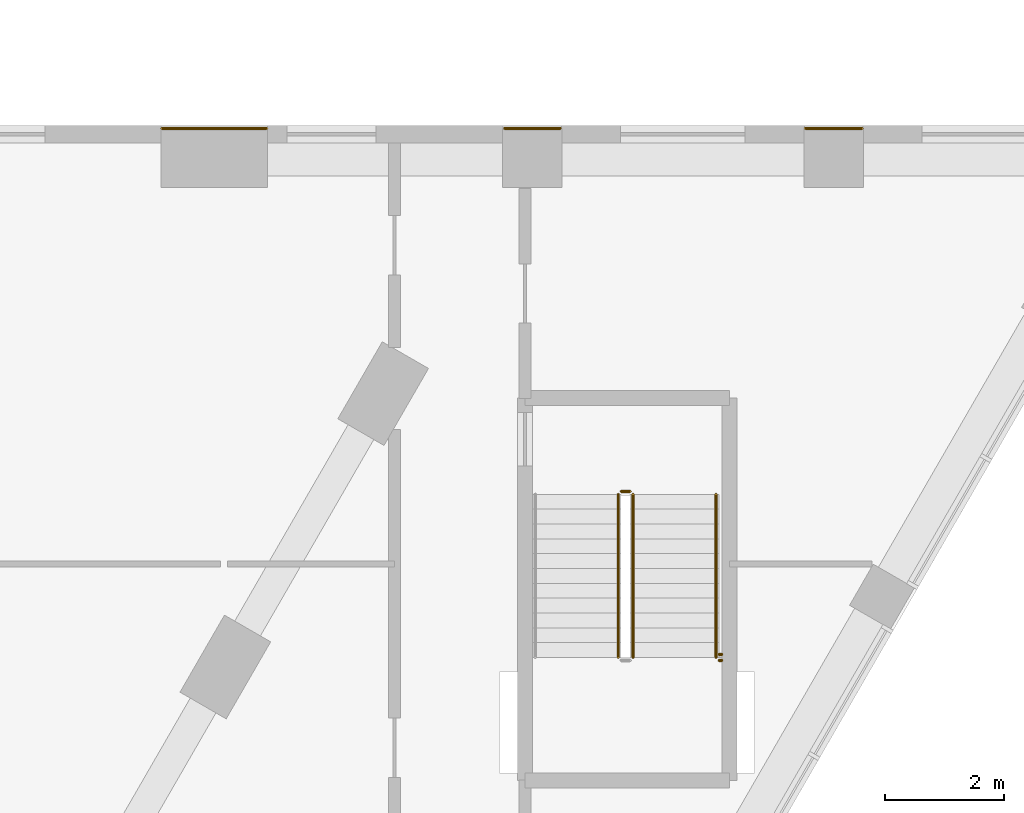
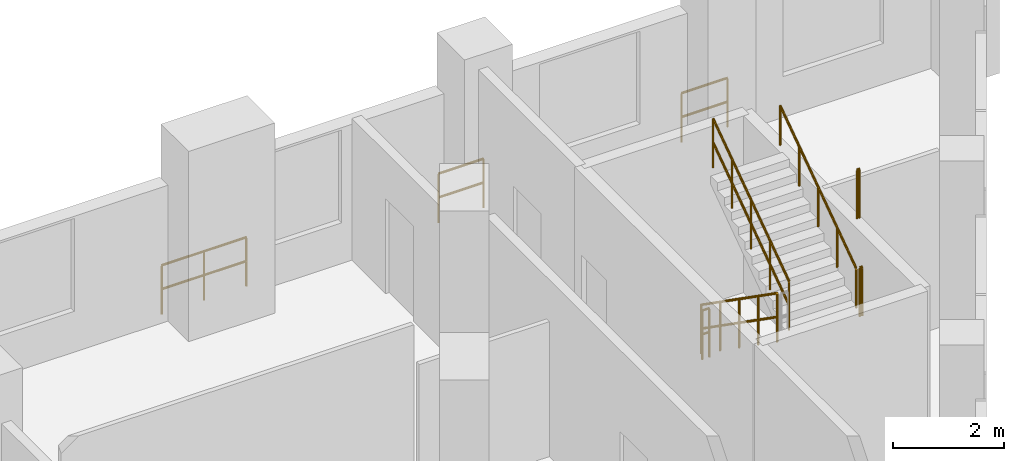
# One storey, part 37 of 45: 9 railings.
"""IFC4 building model written with IfcOpenShell, lengths in metres."""

from ifc_helpers import new_model, si_unit, direction, frame, origin, origin_2d, place, context, subcontext, project, spatial, circle, extrude, material, type_object, element, save


model = new_model("IFC4")

# Units and contexts
model_context = context("Model", 3, precision=1e-05, world=origin(), true_north=direction((0.0, 1.0)))
body_context = subcontext(model_context, "Body", "Model", "MODEL_VIEW")
ifc_project = project(units=[si_unit("LENGTHUNIT", "METRE"), si_unit("AREAUNIT", "SQUARE_METRE"), si_unit("VOLUMEUNIT", "CUBIC_METRE"), si_unit("PLANEANGLEUNIT", "RADIAN"), si_unit("MASSUNIT", "GRAM", prefix="KILO")], contexts=[model_context])

# Site, building, storey
site_placement = place(None, origin())
site = spatial("IfcSite", under=ifc_project, at=site_placement, CompositionType="ELEMENT")
building_placement = place(site_placement, origin())
building = spatial("IfcBuilding", under=site, at=building_placement, Name="Nakaniwa Court", CompositionType="ELEMENT")
storey_placement = place(building_placement, frame((0.0, 0.0, 11.39990234375)))
storey = spatial("IfcBuildingStorey", under=building, at=storey_placement, Name="L02", CompositionType="ELEMENT", Elevation=11.39990234375)

# Railings
ifc_material_1 = material(Name="Black powder coated steel guard", Category="steel")
railing_type_1 = type_object("IfcRailingType", Name="Stair guard 1100", PredefinedType="GUARDRAIL", material=ifc_material_1)
railing_1_placement = place(storey_placement, frame((104.27490234375, 66.375, 0.175048828125)))
element("IfcRailing", 1, at=railing_1_placement, inside=storey, type_object=railing_type_1, Name="L02 SS3 stair guard 1", PredefinedType="GUARDRAIL", context=body_context, shape_type="SweptSolid", body=[
    extrude(circle(Radius=0.02392578125, at=origin_2d()), frame((0.0, 0.0, 1.076171875), z_axis=(0.0, -0.819225086817, 0.573472106672), x_axis=(1.0, 0.0, 0.0)), (0.0, 0.0, 1.0), 3.35693359375),
    extrude(circle(Radius=0.02392578125, at=origin_2d()), frame((0.0, 0.0, 0.550048828125), z_axis=(0.0, -0.819225086817, 0.573472106672), x_axis=(1.0, 0.0, 0.0)), (0.0, 0.0, 1.0), 3.35693359375),
    extrude(circle(Radius=0.02099609375, at=origin_2d()), origin(), (0.0, 0.0, 1.0), 1.052001953125),
    extrude(circle(Radius=0.02099609375, at=origin_2d()), frame((0.0, -0.6875, 0.481201171875)), (0.0, 0.0, 1.0), 1.052001953125),
    extrude(circle(Radius=0.02099609375, at=origin_2d()), frame((0.0, -1.375, 0.96240234375)), (0.0, 0.0, 1.0), 1.052001953125),
    extrude(circle(Radius=0.02099609375, at=origin_2d()), frame((0.0, -2.0625, 1.44384765625)), (0.0, 0.0, 1.0), 1.052001953125),
    extrude(circle(Radius=0.02099609375, at=origin_2d()), frame((0.0, -2.75, 1.925048828125)), (0.0, 0.0, 1.0), 1.052001953125),
])
railing_2_placement = place(storey_placement, frame((104.52490234375, 63.625, 2.275146484375)))
element("IfcRailing", 2, at=railing_2_placement, inside=storey, type_object=railing_type_1, Name="L02 SS3 stair guard 3", PredefinedType="GUARDRAIL", context=body_context, shape_type="SweptSolid", body=[
    extrude(circle(Radius=0.02392578125, at=origin_2d()), frame((0.0, 0.0, 1.076171875), z_axis=(0.0, 0.819225086817, 0.573472106672), x_axis=(-1.0, 0.0, 0.0)), (0.0, 0.0, 1.0), 3.35693359375),
    extrude(circle(Radius=0.02392578125, at=origin_2d()), frame((0.0, 0.0, 0.550048828125), z_axis=(0.0, 0.819225086817, 0.573472106672), x_axis=(-1.0, 0.0, 0.0)), (0.0, 0.0, 1.0), 3.35693359375),
    extrude(circle(Radius=0.02099609375, at=origin_2d()), origin(), (0.0, 0.0, 1.0), 1.052001953125),
    extrude(circle(Radius=0.02099609375, at=origin_2d()), frame((0.0, 0.6875, 0.481201171875)), (0.0, 0.0, 1.0), 1.052001953125),
    extrude(circle(Radius=0.02099609375, at=origin_2d()), frame((0.0, 1.375, 0.96240234375)), (0.0, 0.0, 1.0), 1.052001953125),
    extrude(circle(Radius=0.02099609375, at=origin_2d()), frame((0.0, 2.0625, 1.44384765625)), (0.0, 0.0, 1.0), 1.052001953125),
    extrude(circle(Radius=0.02099609375, at=origin_2d()), frame((0.0, 2.75, 1.925048828125)), (0.0, 0.0, 1.0), 1.052001953125),
])
railing_3_placement = place(storey_placement, frame((104.324951171875, 66.425048828125, 0.0)))
element("IfcRailing", 3, at=railing_3_placement, inside=storey, type_object=railing_type_1, Name="L02 SS3 stair guard 4", PredefinedType="GUARDRAIL", context=body_context, shape_type="SweptSolid", body=[
    extrude(circle(Radius=0.02392578125, at=origin_2d()), frame((0.0, 0.0, 1.076171875), z_axis=(1.0, 0.0, 0.0), x_axis=(0.0, 1.0, 0.0)), (0.0, 0.0, 1.0), 0.150146484375),
    extrude(circle(Radius=0.02392578125, at=origin_2d()), frame((0.0, 0.0, 0.550048828125), z_axis=(1.0, 0.0, 0.0), x_axis=(0.0, 1.0, 0.0)), (0.0, 0.0, 1.0), 0.150146484375),
    extrude(circle(Radius=0.02099609375, at=origin_2d()), origin(), (0.0, 0.0, 1.0), 1.052001953125),
    extrude(circle(Radius=0.02099609375, at=origin_2d()), frame((0.150146484375, 0.0, 0.0)), (0.0, 0.0, 1.0), 1.052001953125),
])
for number, where, name in (
    (4, (105.97509765625, 63.574951171875, 2.10009765625), "L02 SS3 landing side guard 1E"),
    (5, (105.97509765625, 63.675048828125, 4.2001953125), "L02 SS3 floor edge guard 1E"),
):
    element("IfcRailing", number, at=place(storey_placement, frame(where)), inside=storey, type_object=railing_type_1, Name=name, PredefinedType="GUARDRAIL", context=body_context, shape_type="SweptSolid", body=[
        extrude(circle(Radius=0.02392578125, at=origin_2d()), frame((0.0, 0.0, 1.076171875), z_axis=(1.0, 0.0, 0.0), x_axis=(0.0, 1.0, 0.0)), (0.0, 0.0, 1.0), 0.0498046875),
        extrude(circle(Radius=0.02392578125, at=origin_2d()), frame((0.0, 0.0, 0.550048828125), z_axis=(1.0, 0.0, 0.0), x_axis=(0.0, 1.0, 0.0)), (0.0, 0.0, 1.0), 0.0498046875),
        extrude(circle(Radius=0.02099609375, at=origin_2d()), origin(), (0.0, 0.0, 1.0), 1.052001953125),
        extrude(circle(Radius=0.02099609375, at=origin_2d()), frame((0.0498046875, 0.0, 0.0)), (0.0, 0.0, 1.0), 1.052001953125),
    ])
railing_4_placement = place(storey_placement, frame((96.573974609375, 72.550048828125, 0.0)))
element("IfcRailing", 6, at=railing_4_placement, inside=storey, type_object=railing_type_1, Name="GUARD GD-L02-027", PredefinedType="GUARDRAIL", context=body_context, shape_type="SweptSolid", body=[
    extrude(circle(Radius=0.02392578125, at=origin_2d()), frame((0.0, 0.0, 1.076171875), z_axis=(1.0, 0.0, 0.0), x_axis=(0.0, 1.0, 0.0)), (0.0, 0.0, 1.0), 1.768310546875),
    extrude(circle(Radius=0.02392578125, at=origin_2d()), frame((0.0, 0.0, 0.550048828125), z_axis=(1.0, 0.0, 0.0), x_axis=(0.0, 1.0, 0.0)), (0.0, 0.0, 1.0), 1.768310546875),
    extrude(circle(Radius=0.02099609375, at=origin_2d()), origin(), (0.0, 0.0, 1.0), 1.052001953125),
    extrude(circle(Radius=0.02099609375, at=origin_2d()), frame((0.88427734375, 0.0, 0.0)), (0.0, 0.0, 1.0), 1.052001953125),
    extrude(circle(Radius=0.02099609375, at=origin_2d()), frame((1.768310546875, 0.0, 0.0)), (0.0, 0.0, 1.0), 1.052001953125),
])
railing_5_placement = place(storey_placement, frame((102.356689453125, 72.550048828125, 0.0)))
element("IfcRailing", 7, at=railing_5_placement, inside=storey, type_object=railing_type_1, Name="GUARD GD-L02-028", PredefinedType="GUARDRAIL", context=body_context, shape_type="SweptSolid", body=[
    extrude(circle(Radius=0.02392578125, at=origin_2d()), frame((0.0, 0.0, 1.076171875), z_axis=(1.0, 0.0, 0.0), x_axis=(0.0, 1.0, 0.0)), (0.0, 0.0, 1.0), 0.939453125),
    extrude(circle(Radius=0.02392578125, at=origin_2d()), frame((0.0, 0.0, 0.550048828125), z_axis=(1.0, 0.0, 0.0), x_axis=(0.0, 1.0, 0.0)), (0.0, 0.0, 1.0), 0.939453125),
    extrude(circle(Radius=0.02099609375, at=origin_2d()), origin(), (0.0, 0.0, 1.0), 1.052001953125),
    extrude(circle(Radius=0.02099609375, at=origin_2d()), frame((0.939453125, 0.0, 0.0)), (0.0, 0.0, 1.0), 1.052001953125),
])
railing_6_placement = place(storey_placement, frame((107.430419921875, 72.550048828125, 0.0)))
element("IfcRailing", 8, at=railing_6_placement, inside=storey, type_object=railing_type_1, Name="GUARD GD-L02-029", PredefinedType="GUARDRAIL", context=body_context, shape_type="SweptSolid", body=[
    extrude(circle(Radius=0.02392578125, at=origin_2d()), frame((0.0, 0.0, 1.076171875), z_axis=(1.0, 0.0, 0.0), x_axis=(0.0, 1.0, 0.0)), (0.0, 0.0, 1.0), 0.95947265625),
    extrude(circle(Radius=0.02392578125, at=origin_2d()), frame((0.0, 0.0, 0.550048828125), z_axis=(1.0, 0.0, 0.0), x_axis=(0.0, 1.0, 0.0)), (0.0, 0.0, 1.0), 0.95947265625),
    extrude(circle(Radius=0.02099609375, at=origin_2d()), origin(), (0.0, 0.0, 1.0), 1.052001953125),
    extrude(circle(Radius=0.02099609375, at=origin_2d()), frame((0.95947265625, 0.0, 0.0)), (0.0, 0.0, 1.0), 1.052001953125),
])
ifc_material_2 = material(Name="Black powder coated steel handrail", Category="steel")
railing_type_2 = type_object("IfcRailingType", Name="Stair handrail 900", PredefinedType="HANDRAIL", material=ifc_material_2)
railing_7_placement = place(storey_placement, frame((105.925048828125, 63.625, 2.275146484375)))
element("IfcRailing", 9, at=railing_7_placement, inside=storey, type_object=railing_type_2, Name="L02 SS3 stair handrail 2", PredefinedType="HANDRAIL", context=body_context, shape_type="SweptSolid", body=[
    extrude(circle(Radius=0.02392578125, at=origin_2d()), frame((0.0, 0.0, 0.8759765625), z_axis=(0.0, 0.819225086817, 0.573472106672), x_axis=(-1.0, 0.0, 0.0)), (0.0, 0.0, 1.0), 3.35693359375),
    extrude(circle(Radius=0.02099609375, at=origin_2d()), origin(), (0.0, 0.0, 1.0), 0.851806640625),
    extrude(circle(Radius=0.02099609375, at=origin_2d()), frame((0.0, 0.6875, 0.481201171875)), (0.0, 0.0, 1.0), 0.851806640625),
    extrude(circle(Radius=0.02099609375, at=origin_2d()), frame((0.0, 1.375, 0.96240234375)), (0.0, 0.0, 1.0), 0.851806640625),
    extrude(circle(Radius=0.02099609375, at=origin_2d()), frame((0.0, 2.0625, 1.44384765625)), (0.0, 0.0, 1.0), 0.851806640625),
    extrude(circle(Radius=0.02099609375, at=origin_2d()), frame((0.0, 2.75, 1.925048828125)), (0.0, 0.0, 1.0), 0.851806640625),
])

save(model, "model.ifc")
